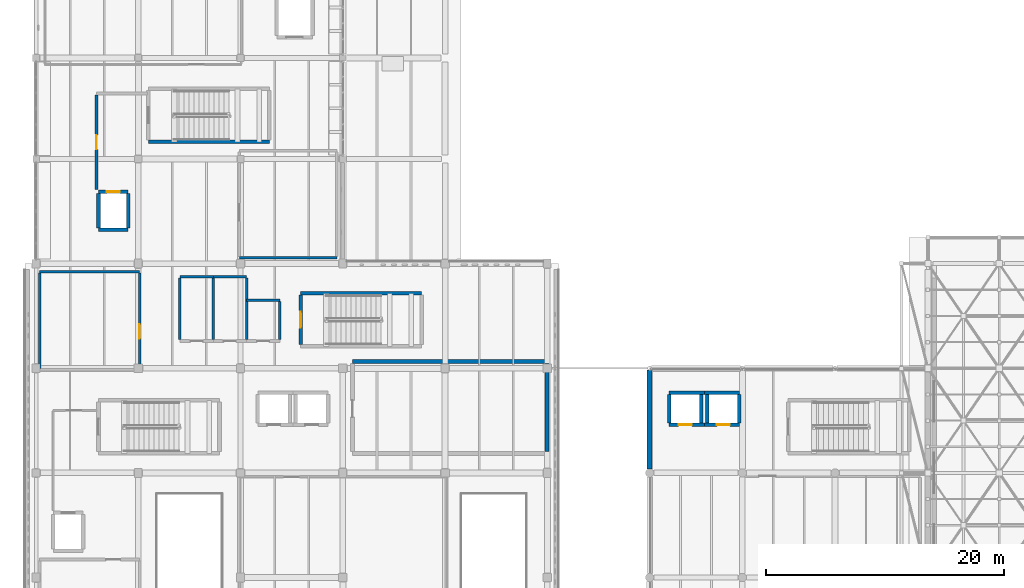
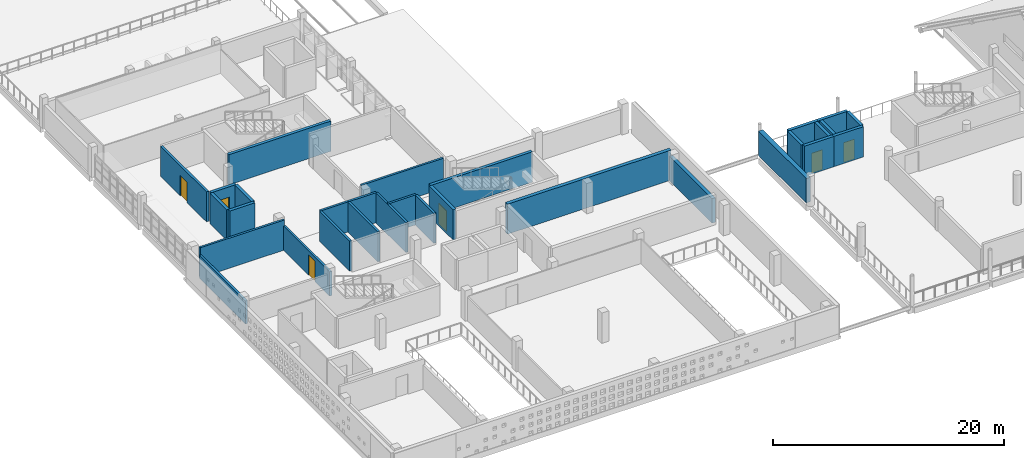
# One storey, part 42 of 55: 30 walls, 6 doors, 6 openings.
"""IFC4 building model written with IfcOpenShell, lengths in metres."""

from ifc_helpers import new_model, si_unit, direction, frame, frame_2d, origin, place, context, subcontext, project, spatial, rectangle, extrude, material, layer, layer_set, type_object, element, fill, save


model = new_model("IFC4")

# Units and contexts
model_context = context("Model", 3, precision=1e-05, world=origin(), true_north=direction((0.0, 1.0)))
body_context = subcontext(model_context, "Body", "Model", "MODEL_VIEW")
ifc_project = project(units=[si_unit("LENGTHUNIT", "METRE"), si_unit("AREAUNIT", "SQUARE_METRE"), si_unit("VOLUMEUNIT", "CUBIC_METRE"), si_unit("PLANEANGLEUNIT", "RADIAN"), si_unit("MASSUNIT", "GRAM", prefix="KILO")], contexts=[model_context])

# Site, building, storey
site_placement = place(None, origin())
site = spatial("IfcSite", under=ifc_project, at=site_placement, CompositionType="ELEMENT")
building_placement = place(site_placement, origin())
building = spatial("IfcBuilding", under=site, at=building_placement, Name="Varnakota Cinema and Media Centre", CompositionType="ELEMENT")
storey_placement = place(building_placement, frame((0.0, 0.0, 15.60009765625)))
storey = spatial("IfcBuildingStorey", under=building, at=storey_placement, Name="L04", CompositionType="ELEMENT", Elevation=15.60009765625)

# Walls
ifc_material_1 = material(Name="Autoclaved aerated concrete blockwork", Category="masonry")
ifc_layer_1 = layer(ifc_material_1, 0.2099609375)
ifc_layer_set_1 = layer_set([ifc_layer_1], Name="Autoclaved aerated concrete blockwork")
wall_type_1 = type_object("IfcWallType", Name="W-ACOUST-210", PredefinedType="PARTITIONING", material=ifc_layer_set_1)
wall_1_placement = place(storey_placement, frame((0.294921875, 26.39990234375, 0.0), z_axis=(0.0, 0.0, 1.0), x_axis=(0.0, 1.0, 0.0)))
element("IfcWall", 1, at=wall_1_placement, inside=storey, type_object=wall_type_1, Name="L04 RWALL-RM-L04-READ4 W wall", PredefinedType="PARTITIONING", context=body_context, shape_type="SweptSolid", body=[
    extrude(rectangle(XDim=8.0, YDim=0.2099609375, at=frame_2d((4.0, 0.0))), origin(), (0.0, 0.0, 1.0), 2.429931640625),
])
wall_2_placement = place(storey_placement, frame((0.294921875, 34.5048828125, 0.0), z_axis=(0.0, 0.0, 1.0), x_axis=(1.0, 0.0, 0.0)))
element("IfcWall", 2, at=wall_2_placement, inside=storey, type_object=wall_type_1, Name="L04 RWALL-RM-L04-READ4 N wall", PredefinedType="PARTITIONING", context=body_context, shape_type="SweptSolid", body=[
    extrude(rectangle(XDim=8.41015625, YDim=0.2099609375, at=frame_2d((4.205078125, 0.0))), origin(), (0.0, 0.0, 1.0), 3.179931640625),
])

# Wall, opening, door
wall_3_placement = place(storey_placement, frame((8.705078125, 34.39990234375, 0.0), z_axis=(0.0, 0.0, 1.0), x_axis=(0.0, -1.0, 0.0)))
wall_3 = element("IfcWall", 3, at=wall_3_placement, inside=storey, type_object=wall_type_1, Name="L04 RWALL-RM-L04-READ4 E wall", PredefinedType="PARTITIONING", context=body_context, shape_type="SweptSolid", body=[
    extrude(rectangle(XDim=8.0, YDim=0.2099609375, at=frame_2d((4.0, 0.0))), origin(), (0.0, 0.0, 1.0), 2.579833984375),
])
opening_1_placement = place(wall_3_placement, frame((4.300048828125, 0.0, 0.0)))
opening_1 = element("IfcOpeningElement", 4, at=opening_1_placement, cuts=wall_3, Name="Opening D-099", PredefinedType="OPENING", context=body_context, shape_type="SweptSolid", body=[
    extrude(rectangle(XDim=1.199951171875, YDim=2.14990234375, at=frame_2d((0.60009765625, 1.074951171875))), frame((0.0, 0.10498046875, 0.0), z_axis=(0.0, -1.0, 0.0), x_axis=(1.0, 0.0, 0.0)), (0.0, 0.0, 1.0), 0.2099609375),
])
ifc_material_2 = material(Name="Thermally broken anodised aluminium AW-6063", Category="aluminium")
door_type_1 = type_object("IfcDoorType", Name="DR-STD-1200x2150", OperationType="NOTDEFINED", PredefinedType="DOOR", material=ifc_material_2)
door_1_placement = place(opening_1_placement, origin())
door_1 = element("IfcDoor", 5, at=door_1_placement, inside=storey, type_object=door_type_1, Name="L04 door D-099", OperationType="SINGLE_SWING_LEFT", OverallHeight=2.14990234375, OverallWidth=1.199951171875, PredefinedType="DOOR", context=body_context, shape_type="SweptSolid", body=[
    extrude(rectangle(XDim=1.199951171875, YDim=2.14990234375, at=frame_2d((0.60009765625, 1.074951171875))), frame((0.0, 0.02490234375, 0.0), z_axis=(0.0, -1.0, 0.0), x_axis=(1.0, 0.0, 0.0)), (0.0, 0.0, 1.0), 0.050048828125),
])
fill(opening_1, door_1)

# Wall
wall_4_placement = place(storey_placement, frame((25.304931640625, 35.695068359375, 0.0), z_axis=(0.0, 0.0, 1.0), x_axis=(-1.0, 0.0, 0.0)))
element("IfcWall", 6, at=wall_4_placement, inside=storey, type_object=wall_type_1, Name="L04 RWALL-RM-L04-TV2 S wall", PredefinedType="PARTITIONING", context=body_context, shape_type="SweptSolid", body=[
    extrude(rectangle(XDim=8.2099609375, YDim=0.2099609375, at=frame_2d((4.10498046875, 0.0))), origin(), (0.0, 0.0, 1.0), 3.179931640625),
])

# Wall, opening, door
ifc_material_3 = material(Name="Autoclaved aerated concrete blockwork", Category="masonry")
ifc_layer_2 = layer(ifc_material_3, 0.22998046875)
ifc_layer_set_2 = layer_set([ifc_layer_2], Name="Autoclaved aerated concrete blockwork")
wall_type_2 = type_object("IfcWallType", Name="W-BOX-230", PredefinedType="PARTITIONING", material=ifc_layer_set_2)
wall_5_placement = place(storey_placement, frame((5.0849609375, 41.449951171875, 0.0), z_axis=(0.0, 0.0, 1.0), x_axis=(0.0, 1.0, 0.0)))
wall_5 = element("IfcWall", 7, at=wall_5_placement, inside=storey, type_object=wall_type_2, Name="L04 RWALL-RM-L04-FF-2 W wall", PredefinedType="PARTITIONING", context=body_context, shape_type="SweptSolid", body=[
    extrude(rectangle(XDim=7.949951171875, YDim=0.22998046875, at=frame_2d((3.97509765625, 0.0))), origin(), (0.0, 0.0, 1.0), 3.179931640625),
])
opening_2_placement = place(wall_5_placement, frame((3.35009765625, 0.0, 0.0)))
opening_2 = element("IfcOpeningElement", 8, at=opening_2_placement, cuts=wall_5, Name="Opening D-015", PredefinedType="OPENING", context=body_context, shape_type="SweptSolid", body=[
    extrude(rectangle(XDim=1.199951171875, YDim=2.14990234375, at=frame_2d((0.60009765625, 1.074951171875))), frame((0.0, 0.114990234375, 0.0), z_axis=(0.0, -1.0, 0.0), x_axis=(1.0, 0.0, 0.0)), (0.0, 0.0, 1.0), 0.22998046875),
])
door_2_placement = place(opening_2_placement, origin())
door_2 = element("IfcDoor", 9, at=door_2_placement, inside=storey, type_object=door_type_1, Name="L04 door D-015", OperationType="SINGLE_SWING_LEFT", OverallHeight=2.14990234375, OverallWidth=1.199951171875, PredefinedType="DOOR", context=body_context, shape_type="SweptSolid", body=[
    extrude(rectangle(XDim=1.199951171875, YDim=2.14990234375, at=frame_2d((0.60009765625, 1.074951171875))), frame((0.0, 0.02490234375, 0.0), z_axis=(0.0, -1.0, 0.0), x_axis=(1.0, 0.0, 0.0)), (0.0, 0.0, 1.0), 0.050048828125),
])
fill(opening_2, door_2)

ifc_material_4 = material(Name="Concrete M40", Category="concrete")
ifc_layer_3 = layer(ifc_material_4, 0.300048828125)
ifc_layer_set_3 = layer_set([ifc_layer_3], Name="Concrete M40")
wall_type_3 = type_object("IfcWallType", Name="W-CORE-300", PredefinedType="SHEAR", material=ifc_layer_set_3)
wall_6_placement = place(storey_placement, frame((22.25, 28.39990234375, 0.0), z_axis=(0.0, 0.0, 1.0), x_axis=(0.0, 1.0, 0.0)))
wall_6 = element("IfcWall", 10, at=wall_6_placement, inside=storey, type_object=wall_type_3, Name="L04 CWALL-ST-02-L04 W wall", PredefinedType="SHEAR", context=body_context, shape_type="SweptSolid", body=[
    extrude(rectangle(XDim=4.150146484375, YDim=0.300048828125, at=frame_2d((2.0751953125, 0.0))), origin(), (0.0, 0.0, 1.0), 3.199951171875),
])
opening_3_placement = place(wall_6_placement, frame((1.39990234375, 0.0, 0.0)))
opening_3 = element("IfcOpeningElement", 11, at=opening_3_placement, cuts=wall_6, Name="Opening SD-02", PredefinedType="OPENING", context=body_context, shape_type="SweptSolid", body=[
    extrude(rectangle(XDim=1.35009765625, YDim=2.199951171875, at=frame_2d((0.675048828125, 1.10009765625))), frame((0.0, 0.14990234375, 0.0), z_axis=(0.0, -1.0, 0.0), x_axis=(1.0, 0.0, 0.0)), (0.0, 0.0, 1.0), 0.300048828125),
])
ifc_material_5 = material(Name="Thermally broken anodised aluminium AW-6063", Category="aluminium")
door_type_2 = type_object("IfcDoorType", Name="DR-STAIR-1350x2200", OperationType="NOTDEFINED", PredefinedType="DOOR", material=ifc_material_5)
door_3_placement = place(opening_3_placement, origin())
door_3 = element("IfcDoor", 12, at=door_3_placement, inside=storey, type_object=door_type_2, Name="L04 door SD-02", OperationType="SINGLE_SWING_LEFT", OverallHeight=2.199951171875, OverallWidth=1.35009765625, PredefinedType="DOOR", context=body_context, shape_type="SweptSolid", body=[
    extrude(rectangle(XDim=1.35009765625, YDim=2.199951171875, at=frame_2d((0.675048828125, 1.10009765625))), frame((0.0, 0.02490234375, 0.0), z_axis=(0.0, -1.0, 0.0), x_axis=(1.0, 0.0, 0.0)), (0.0, 0.0, 1.0), 0.050048828125),
])
fill(opening_3, door_3)

# Walls
for number, where, z_axis, x_axis, name in (
    (13, (22.25, 32.699951171875, 0.0), (0.0, 0.0, 1.0), (1.0, 0.0, 0.0), "L04 CWALL-ST-02-L04 N wall"),
    (14, (19.6298828125, 45.449951171875, 0.0), (0.0, 0.0, 1.0), (-1.0, 0.0, 0.0), "L04 CWALL-ST-03-L04 S wall"),
):
    element("IfcWall", number, at=place(storey_placement, frame(where, z_axis=z_axis, x_axis=x_axis)), inside=storey, type_object=wall_type_3, Name=name, PredefinedType="SHEAR", context=body_context, shape_type="SweptSolid", body=[
        extrude(rectangle(XDim=10.179931640625, YDim=0.300048828125, at=frame_2d((5.08984375, 0.0))), origin(), (0.0, 0.0, 1.0), 3.199951171875),
    ])
wall_7_placement = place(storey_placement, frame((7.75, 38.050048828125, 0.0), z_axis=(0.0, 0.0, 1.0), x_axis=(-1.0, 0.0, 0.0)))
element("IfcWall", 15, at=wall_7_placement, inside=storey, type_object=wall_type_3, Name="L04 LSHAFT-LF-02-L04 S wall", PredefinedType="SHEAR", context=body_context, shape_type="SweptSolid", body=[
    extrude(rectangle(XDim=2.5, YDim=0.300048828125, at=frame_2d((1.25, 0.0))), origin(), (0.0, 0.0, 1.0), 3.199951171875),
])
wall_8_placement = place(storey_placement, frame((5.25, 38.199951171875, 0.0), z_axis=(0.0, 0.0, 1.0), x_axis=(0.0, 1.0, 0.0)))
element("IfcWall", 16, at=wall_8_placement, inside=storey, type_object=wall_type_3, Name="L04 LSHAFT-LF-02-L04 W wall", PredefinedType="SHEAR", context=body_context, shape_type="SweptSolid", body=[
    extrude(rectangle(XDim=2.900146484375, YDim=0.300048828125, at=frame_2d((1.4501953125, 0.0))), origin(), (0.0, 0.0, 1.0), 3.199951171875),
])

# Wall, opening, door
wall_9_placement = place(storey_placement, frame((5.25, 41.25, 0.0), z_axis=(0.0, 0.0, 1.0), x_axis=(1.0, 0.0, 0.0)))
wall_9 = element("IfcWall", 17, at=wall_9_placement, inside=storey, type_object=wall_type_3, Name="L04 LSHAFT-LF-02-L04 N wall", PredefinedType="SHEAR", context=body_context, shape_type="SweptSolid", body=[
    extrude(rectangle(XDim=2.5, YDim=0.300048828125, at=frame_2d((1.25, 0.0))), origin(), (0.0, 0.0, 1.0), 3.199951171875),
])
opening_4_placement = place(wall_9_placement, frame((0.699951171875, 0.0, 0.0)))
opening_4 = element("IfcOpeningElement", 18, at=opening_4_placement, cuts=wall_9, Name="Opening LD-02", PredefinedType="OPENING", context=body_context, shape_type="SweptSolid", body=[
    extrude(rectangle(XDim=1.10009765625, YDim=2.10009765625, at=frame_2d((0.550048828125, 1.050048828125))), frame((0.0, 0.14990234375, 0.0), z_axis=(0.0, -1.0, 0.0), x_axis=(1.0, 0.0, 0.0)), (0.0, 0.0, 1.0), 0.300048828125),
])
ifc_material_6 = material(Name="Thermally broken anodised aluminium AW-6063", Category="aluminium")
door_type_3 = type_object("IfcDoorType", Name="DR-LIFT-1100x2100", OperationType="SLIDING_TO_LEFT", PredefinedType="DOOR", material=ifc_material_6)
door_4_placement = place(opening_4_placement, origin())
door_4 = element("IfcDoor", 19, at=door_4_placement, inside=storey, type_object=door_type_3, Name="L04 door LD-02", OperationType="SLIDING_TO_LEFT", OverallHeight=2.10009765625, OverallWidth=1.10009765625, PredefinedType="DOOR", context=body_context, shape_type="SweptSolid", body=[
    extrude(rectangle(XDim=1.10009765625, YDim=2.10009765625, at=frame_2d((0.550048828125, 1.050048828125))), frame((0.0, 0.02490234375, 0.0), z_axis=(0.0, -1.0, 0.0), x_axis=(1.0, 0.0, 0.0)), (0.0, 0.0, 1.0), 0.050048828125),
])
fill(opening_4, door_4)

# Wall
wall_10_placement = place(storey_placement, frame((7.75, 41.10009765625, 0.0), z_axis=(0.0, 0.0, 1.0), x_axis=(0.0, -1.0, 0.0)))
element("IfcWall", 20, at=wall_10_placement, inside=storey, type_object=wall_type_3, Name="L04 LSHAFT-LF-02-L04 E wall", PredefinedType="SHEAR", context=body_context, shape_type="SweptSolid", body=[
    extrude(rectangle(XDim=2.900146484375, YDim=0.300048828125, at=frame_2d((1.4501953125, 0.0))), origin(), (0.0, 0.0, 1.0), 3.199951171875),
])

# Wall, opening, door
wall_11_placement = place(storey_placement, frame((56.199951171875, 21.64990234375, 0.0), z_axis=(0.0, 0.0, 1.0), x_axis=(-1.0, 0.0, 0.0)))
wall_11 = element("IfcWall", 21, at=wall_11_placement, inside=storey, type_object=wall_type_3, Name="L04 LSHAFT-LF-05-L04 S wall", PredefinedType="SHEAR", context=body_context, shape_type="SweptSolid", body=[
    extrude(rectangle(XDim=2.949951171875, YDim=0.300048828125, at=frame_2d((1.47509765625, 0.0))), origin(), (0.0, 0.0, 1.0), 3.199951171875),
])
opening_5_placement = place(wall_11_placement, frame((1.050048828125, 0.0, 0.0)))
opening_5 = element("IfcOpeningElement", 22, at=opening_5_placement, cuts=wall_11, Name="Opening LD-05", PredefinedType="OPENING", context=body_context, shape_type="SweptSolid", body=[
    extrude(rectangle(XDim=1.10009765625, YDim=2.10009765625, at=frame_2d((0.550048828125, 1.050048828125))), frame((0.0, 0.14990234375, 0.0), z_axis=(0.0, -1.0, 0.0), x_axis=(1.0, 0.0, 0.0)), (0.0, 0.0, 1.0), 0.300048828125),
])
door_5_placement = place(opening_5_placement, origin())
door_5 = element("IfcDoor", 23, at=door_5_placement, inside=storey, type_object=door_type_3, Name="L04 door LD-05", OperationType="SLIDING_TO_LEFT", OverallHeight=2.10009765625, OverallWidth=1.10009765625, PredefinedType="DOOR", context=body_context, shape_type="SweptSolid", body=[
    extrude(rectangle(XDim=1.10009765625, YDim=2.10009765625, at=frame_2d((0.550048828125, 1.050048828125))), frame((0.0, 0.02490234375, 0.0), z_axis=(0.0, -1.0, 0.0), x_axis=(1.0, 0.0, 0.0)), (0.0, 0.0, 1.0), 0.050048828125),
])
fill(opening_5, door_5)

# Walls
wall_12_placement = place(storey_placement, frame((53.25, 21.800048828125, 0.0), z_axis=(0.0, 0.0, 1.0), x_axis=(0.0, 1.0, 0.0)))
element("IfcWall", 24, at=wall_12_placement, inside=storey, type_object=wall_type_3, Name="L04 LSHAFT-LF-05-L04 W wall", PredefinedType="SHEAR", context=body_context, shape_type="SweptSolid", body=[
    extrude(rectangle(XDim=2.39990234375, YDim=0.300048828125, at=frame_2d((1.199951171875, 0.0))), origin(), (0.0, 0.0, 1.0), 3.199951171875),
])
wall_13_placement = place(storey_placement, frame((53.25, 24.35009765625, 0.0), z_axis=(0.0, 0.0, 1.0), x_axis=(1.0, 0.0, 0.0)))
element("IfcWall", 25, at=wall_13_placement, inside=storey, type_object=wall_type_3, Name="L04 LSHAFT-LF-05-L04 N wall", PredefinedType="SHEAR", context=body_context, shape_type="SweptSolid", body=[
    extrude(rectangle(XDim=2.949951171875, YDim=0.300048828125, at=frame_2d((1.47509765625, 0.0))), origin(), (0.0, 0.0, 1.0), 3.199951171875),
])
wall_14_placement = place(storey_placement, frame((55.949951171875, 24.199951171875, 0.0), z_axis=(0.0, 0.0, 1.0), x_axis=(0.0, -1.0, 0.0)))
element("IfcWall", 26, at=wall_14_placement, inside=storey, type_object=wall_type_3, Name="L04 LSHAFT-LF-05-L04 E wall", PredefinedType="SHEAR", context=body_context, shape_type="SweptSolid", body=[
    extrude(rectangle(XDim=2.39990234375, YDim=0.300048828125, at=frame_2d((1.199951171875, 0.0))), origin(), (0.0, 0.0, 1.0), 3.199951171875),
])

# Wall, opening, door
wall_15_placement = place(storey_placement, frame((59.14990234375, 21.64990234375, 0.0), z_axis=(0.0, 0.0, 1.0), x_axis=(-1.0, 0.0, 0.0)))
wall_15 = element("IfcWall", 27, at=wall_15_placement, inside=storey, type_object=wall_type_3, Name="L04 LSHAFT-LF-06-L04 S wall", PredefinedType="SHEAR", context=body_context, shape_type="SweptSolid", body=[
    extrude(rectangle(XDim=2.949951171875, YDim=0.300048828125, at=frame_2d((1.47509765625, 0.0))), origin(), (0.0, 0.0, 1.0), 3.199951171875),
])
opening_6_placement = place(wall_15_placement, frame((0.800048828125, 0.0, 0.0)))
opening_6 = element("IfcOpeningElement", 28, at=opening_6_placement, cuts=wall_15, Name="Opening LD-06", PredefinedType="OPENING", context=body_context, shape_type="SweptSolid", body=[
    extrude(rectangle(XDim=1.10009765625, YDim=2.10009765625, at=frame_2d((0.550048828125, 1.050048828125))), frame((0.0, 0.14990234375, 0.0), z_axis=(0.0, -1.0, 0.0), x_axis=(1.0, 0.0, 0.0)), (0.0, 0.0, 1.0), 0.300048828125),
])
door_6_placement = place(opening_6_placement, origin())
door_6 = element("IfcDoor", 29, at=door_6_placement, inside=storey, type_object=door_type_3, Name="L04 door LD-06", OperationType="SLIDING_TO_LEFT", OverallHeight=2.10009765625, OverallWidth=1.10009765625, PredefinedType="DOOR", context=body_context, shape_type="SweptSolid", body=[
    extrude(rectangle(XDim=1.10009765625, YDim=2.10009765625, at=frame_2d((0.550048828125, 1.050048828125))), frame((0.0, 0.02490234375, 0.0), z_axis=(0.0, -1.0, 0.0), x_axis=(1.0, 0.0, 0.0)), (0.0, 0.0, 1.0), 0.050048828125),
])
fill(opening_6, door_6)

# Walls
wall_16_placement = place(storey_placement, frame((56.449951171875, 21.800048828125, 0.0), z_axis=(0.0, 0.0, 1.0), x_axis=(0.0, 1.0, 0.0)))
element("IfcWall", 30, at=wall_16_placement, inside=storey, type_object=wall_type_3, Name="L04 LSHAFT-LF-06-L04 W wall", PredefinedType="SHEAR", context=body_context, shape_type="SweptSolid", body=[
    extrude(rectangle(XDim=2.39990234375, YDim=0.300048828125, at=frame_2d((1.199951171875, 0.0))), origin(), (0.0, 0.0, 1.0), 3.199951171875),
])
wall_17_placement = place(storey_placement, frame((56.199951171875, 24.35009765625, 0.0), z_axis=(0.0, 0.0, 1.0), x_axis=(1.0, 0.0, 0.0)))
element("IfcWall", 31, at=wall_17_placement, inside=storey, type_object=wall_type_3, Name="L04 LSHAFT-LF-06-L04 N wall", PredefinedType="SHEAR", context=body_context, shape_type="SweptSolid", body=[
    extrude(rectangle(XDim=2.949951171875, YDim=0.300048828125, at=frame_2d((1.47509765625, 0.0))), origin(), (0.0, 0.0, 1.0), 3.199951171875),
])
wall_18_placement = place(storey_placement, frame((59.14990234375, 24.199951171875, 0.0), z_axis=(0.0, 0.0, 1.0), x_axis=(0.0, -1.0, 0.0)))
element("IfcWall", 32, at=wall_18_placement, inside=storey, type_object=wall_type_3, Name="L04 LSHAFT-LF-06-L04 E wall", PredefinedType="SHEAR", context=body_context, shape_type="SweptSolid", body=[
    extrude(rectangle(XDim=2.39990234375, YDim=0.300048828125, at=frame_2d((1.199951171875, 0.0))), origin(), (0.0, 0.0, 1.0), 3.199951171875),
])
ifc_material_7 = material(Name="Deccan grey granite ashlar", Category="masonry")
ifc_layer_4 = layer(ifc_material_7, 0.43994140625)
ifc_layer_set_4 = layer_set([ifc_layer_4], Name="Deccan grey granite ashlar")
wall_type_4 = type_object("IfcWallType", Name="W-EXT-HALL-440", PredefinedType="SOLIDWALL", material=ifc_layer_set_4)
wall_19_placement = place(storey_placement, frame((51.60009765625, 26.238037109375, 0.0), z_axis=(0.0, 0.0, 1.0), x_axis=(0.0, -1.0, 0.0)))
element("IfcWall", 33, at=wall_19_placement, inside=storey, type_object=wall_type_4, Name="L04 exterior wall V6-W-PORT-1", PredefinedType="SOLIDWALL", context=body_context, shape_type="SweptSolid", body=[
    extrude(rectangle(XDim=8.2880859375, YDim=0.43994140625, at=frame_2d((4.14404296875, 0.0))), origin(), (0.0, 0.0, 1.0), 2.5849609375),
])
ifc_material_8 = material(Name="Autoclaved aerated concrete blockwork", Category="masonry")
ifc_layer_5 = layer(ifc_material_8, 0.219970703125)
ifc_layer_set_5 = layer_set([ifc_layer_5], Name="Autoclaved aerated concrete blockwork")
wall_type_5 = type_object("IfcWallType", Name="W-PLUMB-220", PredefinedType="PLUMBINGWALL", material=ifc_layer_set_5)
wall_20_placement = place(storey_placement, frame((12.090087890625, 28.800048828125, 0.0), z_axis=(0.0, 0.0, 1.0), x_axis=(0.0, 1.0, 0.0)))
element("IfcWall", 34, at=wall_20_placement, inside=storey, type_object=wall_type_5, Name="L04 RWALL-RM-L04-WCM W wall", PredefinedType="PLUMBINGWALL", context=body_context, shape_type="SweptSolid", body=[
    extrude(rectangle(XDim=5.199951171875, YDim=0.219970703125, at=frame_2d((2.60009765625, 0.0))), origin(), (0.0, 0.0, 1.0), 3.179931640625),
])
wall_21_placement = place(storey_placement, frame((12.090087890625, 34.110107421875, 0.0), z_axis=(0.0, 0.0, 1.0), x_axis=(1.0, 0.0, 0.0)))
element("IfcWall", 35, at=wall_21_placement, inside=storey, type_object=wall_type_5, Name="L04 RWALL-RM-L04-WCM N wall", PredefinedType="PLUMBINGWALL", context=body_context, shape_type="SweptSolid", body=[
    extrude(rectangle(XDim=2.81982421875, YDim=0.219970703125, at=frame_2d((1.409912109375, 0.0))), origin(), (0.0, 0.0, 1.0), 3.179931640625),
])
wall_22_placement = place(storey_placement, frame((14.909912109375, 34.0, 0.0), z_axis=(0.0, 0.0, 1.0), x_axis=(0.0, -1.0, 0.0)))
element("IfcWall", 36, at=wall_22_placement, inside=storey, type_object=wall_type_5, Name="L04 RWALL-RM-L04-WCM E wall", PredefinedType="PLUMBINGWALL", context=body_context, shape_type="SweptSolid", body=[
    extrude(rectangle(XDim=5.199951171875, YDim=0.219970703125, at=frame_2d((2.60009765625, 0.0))), origin(), (0.0, 0.0, 1.0), 3.179931640625),
])
wall_23_placement = place(storey_placement, frame((14.889892578125, 34.110107421875, 0.0), z_axis=(0.0, 0.0, 1.0), x_axis=(1.0, 0.0, 0.0)))
element("IfcWall", 37, at=wall_23_placement, inside=storey, type_object=wall_type_5, Name="L04 RWALL-RM-L04-WCF N wall", PredefinedType="PLUMBINGWALL", context=body_context, shape_type="SweptSolid", body=[
    extrude(rectangle(XDim=2.820068359375, YDim=0.219970703125, at=frame_2d((1.41015625, 0.0))), origin(), (0.0, 0.0, 1.0), 3.179931640625),
])
wall_24_placement = place(storey_placement, frame((17.7099609375, 34.0, 0.0), z_axis=(0.0, 0.0, 1.0), x_axis=(0.0, -1.0, 0.0)))
element("IfcWall", 38, at=wall_24_placement, inside=storey, type_object=wall_type_5, Name="L04 RWALL-RM-L04-WCF E wall", PredefinedType="PLUMBINGWALL", context=body_context, shape_type="SweptSolid", body=[
    extrude(rectangle(XDim=5.199951171875, YDim=0.219970703125, at=frame_2d((2.60009765625, 0.0))), origin(), (0.0, 0.0, 1.0), 3.179931640625),
])
wall_25_placement = place(storey_placement, frame((17.68994140625, 32.110107421875, 0.0), z_axis=(0.0, 0.0, 1.0), x_axis=(1.0, 0.0, 0.0)))
element("IfcWall", 39, at=wall_25_placement, inside=storey, type_object=wall_type_5, Name="L04 RWALL-RM-L04-WCA N wall", PredefinedType="PLUMBINGWALL", context=body_context, shape_type="SweptSolid", body=[
    extrude(rectangle(XDim=2.820068359375, YDim=0.219970703125, at=frame_2d((1.41015625, 0.0))), origin(), (0.0, 0.0, 1.0), 3.179931640625),
])
wall_26_placement = place(storey_placement, frame((20.510009765625, 32.0, 0.0), z_axis=(0.0, 0.0, 1.0), x_axis=(0.0, -1.0, 0.0)))
element("IfcWall", 40, at=wall_26_placement, inside=storey, type_object=wall_type_5, Name="L04 RWALL-RM-L04-WCA E wall", PredefinedType="PLUMBINGWALL", context=body_context, shape_type="SweptSolid", body=[
    extrude(rectangle(XDim=3.199951171875, YDim=0.219970703125, at=frame_2d((1.60009765625, 0.0))), origin(), (0.0, 0.0, 1.0), 3.179931640625),
])
ifc_material_9 = material(Name="Concrete M40", Category="concrete")
ifc_layer_6 = layer(ifc_material_9, 0.35009765625)
ifc_layer_set_6 = layer_set([ifc_layer_6], Name="Concrete M40")
wall_type_6 = type_object("IfcWallType", Name="W-SEP-350", PredefinedType="SOLIDWALL", material=ifc_layer_set_6)
wall_27_placement = place(storey_placement, frame((26.625, 26.97509765625, 0.0), z_axis=(0.0, 0.0, 1.0), x_axis=(1.0, 0.0, 0.0)))
element("IfcWall", 41, at=wall_27_placement, inside=storey, type_object=wall_type_6, Name="L04 RWALL-RM-L04-POSTER N wall", PredefinedType="SOLIDWALL", context=body_context, shape_type="SweptSolid", body=[
    extrude(rectangle(XDim=16.35009765625, YDim=0.35009765625, at=frame_2d((8.175048828125, 0.0))), origin(), (0.0, 0.0, 1.0), 3.179931640625),
])
wall_28_placement = place(storey_placement, frame((42.97509765625, 26.800048828125, 0.0), z_axis=(0.0, 0.0, 1.0), x_axis=(0.0, -1.0, 0.0)))
element("IfcWall", 42, at=wall_28_placement, inside=storey, type_object=wall_type_6, Name="L04 RWALL-RM-L04-POSTER E wall", PredefinedType="SOLIDWALL", context=body_context, shape_type="SweptSolid", body=[
    extrude(rectangle(XDim=7.400146484375, YDim=0.35009765625, at=frame_2d((3.7001953125, 0.0))), origin(), (0.0, 0.0, 1.0), 2.579833984375),
])

save(model, "model.ifc")
